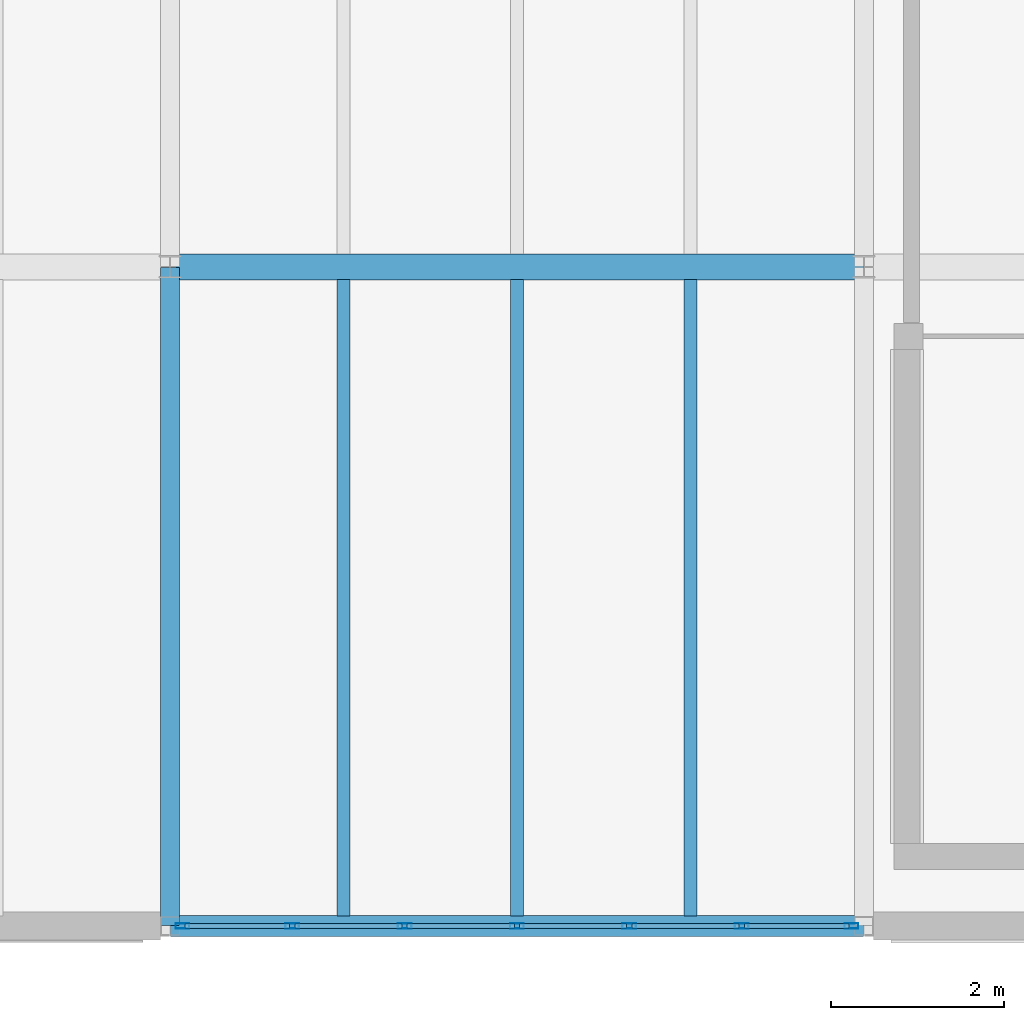
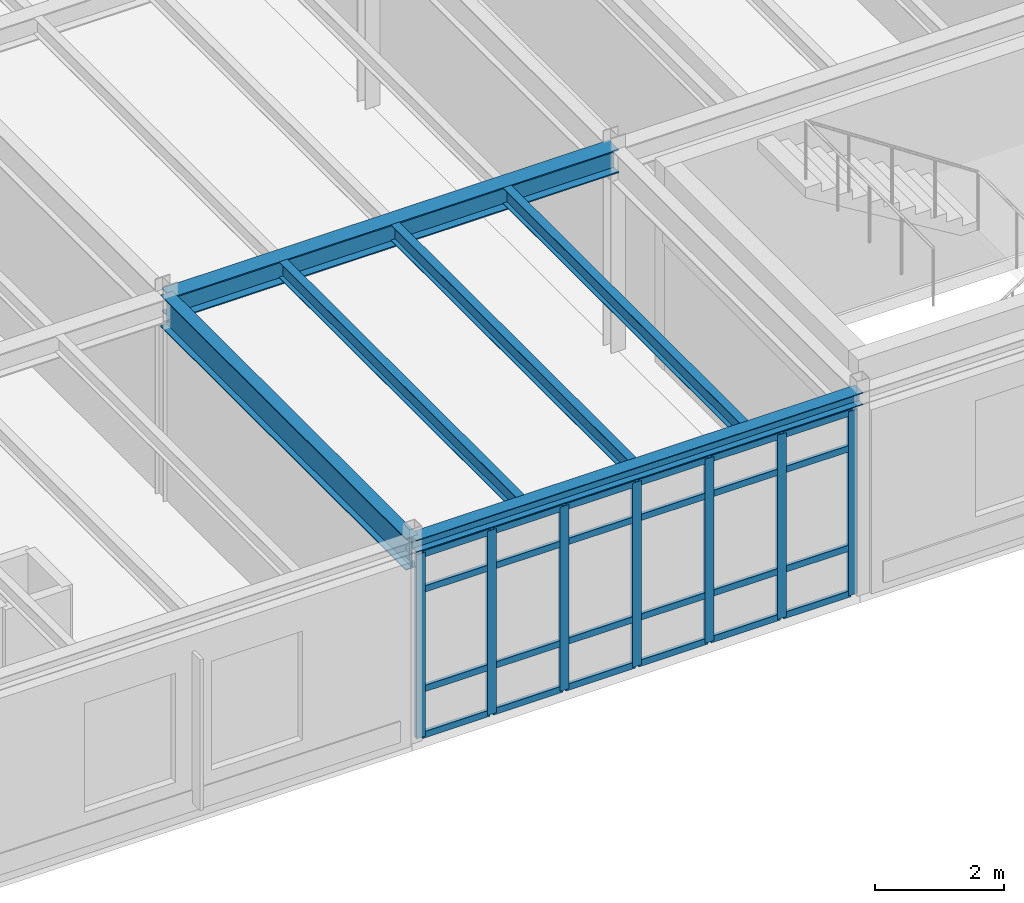
# One storey, part 56 of 114: 31 members, 6 beams, 1 element without a shape of its own.
"""IFC4 building model written with IfcOpenShell, lengths in metres."""

from ifc_helpers import new_model, si_unit, direction, frame, origin, origin_2d, place, context, subcontext, project, spatial, hollow_rectangle, i_section, extrude, material, layer, layer_set, material_profile, profile_set, type_object, element, aggregate, save


model = new_model("IFC4")

# Units and contexts
model_context = context("Model", 3, precision=1e-05, world=origin(), true_north=direction((0.0, 1.0)))
body_context = subcontext(model_context, "Body", "Model", "MODEL_VIEW")
ifc_project = project(units=[si_unit("LENGTHUNIT", "METRE"), si_unit("AREAUNIT", "SQUARE_METRE"), si_unit("VOLUMEUNIT", "CUBIC_METRE"), si_unit("PLANEANGLEUNIT", "RADIAN"), si_unit("MASSUNIT", "GRAM", prefix="KILO")], contexts=[model_context])

# Site, building, storey
site_placement = place(None, origin())
site = spatial("IfcSite", under=ifc_project, at=site_placement, CompositionType="ELEMENT")
building_placement = place(site_placement, origin())
building = spatial("IfcBuilding", under=site, at=building_placement, Name="Montecoro Central Library", CompositionType="ELEMENT")
storey_placement = place(building_placement, frame((0.0, 0.0, 13.260009765625)))
storey = spatial("IfcBuildingStorey", under=building, at=storey_placement, Name="L03", CompositionType="ELEMENT", Elevation=13.260009765625)

# Beams
ifc_material_1 = material(Name="Steel S355J2", Category="steel")
ifc_material_profile_1 = material_profile(ifc_material_1, i_section(OverallWidth=0.300048828125, OverallDepth=0.43994140625, WebThickness=0.011474609375, FlangeThickness=0.02099609375, at=origin_2d()), Name="HEA 450")
ifc_profile_set_1 = profile_set([ifc_material_profile_1], Name="Steel S355J2")
beam_type_1 = type_object("IfcBeamType", Name="BM-G-HEA450", PredefinedType="USERDEFINED", material=ifc_profile_set_1)
beam_1_placement = place(storey_placement, frame((149.0048828125, 12.60009765625, 3.60498046875), z_axis=(1.0, 0.0, 0.0), x_axis=(0.0, 1.0, 0.0)))
element("IfcBeam", 1, at=beam_1_placement, inside=storey, type_object=beam_type_1, Name="V6-L03-BX-1920-B", ObjectType="GIRDER", PredefinedType="USERDEFINED", context=body_context, shape_type="SweptSolid", body=[
    extrude(i_section(OverallWidth=0.300048828125, OverallDepth=0.43994140625, WebThickness=0.011474609375, FlangeThickness=0.02099609375, at=origin_2d()), origin(), (0.0, 0.0, 1.0), 7.990234375),
])
ifc_material_profile_2 = material_profile(ifc_material_1, i_section(OverallWidth=0.219970703125, OverallDepth=0.60009765625, WebThickness=0.011962890625, FlangeThickness=0.01904296875, at=origin_2d()), Name="IPE 600")
ifc_profile_set_2 = profile_set([ifc_material_profile_2], Name="Steel S355J2")
beam_type_2 = type_object("IfcBeamType", Name="BM-G-IPE600", PredefinedType="USERDEFINED", material=ifc_profile_set_2)
beam_2_placement = place(storey_placement, frame((149.0, 5.0048828125, 3.52490234375), z_axis=(0.0, 1.0, 0.0), x_axis=(-1.0, 0.0, 0.0)))
element("IfcBeam", 2, at=beam_2_placement, inside=storey, type_object=beam_type_2, Name="V6-L03-BY-19-AB", ObjectType="GIRDER", PredefinedType="USERDEFINED", context=body_context, shape_type="SweptSolid", body=[
    extrude(i_section(OverallWidth=0.219970703125, OverallDepth=0.60009765625, WebThickness=0.011962890625, FlangeThickness=0.01904296875, at=origin_2d()), origin(), (0.0, 0.0, 1.0), 7.590087890625),
])
ifc_material_2 = material(Name="Steel S355", Category="steel")
ifc_material_profile_3 = material_profile(ifc_material_2, i_section(OverallWidth=0.14990234375, OverallDepth=0.300048828125, WebThickness=0.007080078125, FlangeThickness=0.0107421875, at=origin_2d()), Name="IPE 300")
ifc_profile_set_3 = profile_set([ifc_material_profile_3], Name="Steel S355")
beam_type_3 = type_object("IfcBeamType", Name="BM-J-IPE300", PredefinedType="JOIST", material=ifc_profile_set_3)
for number, where, z_axis, x_axis, name in (
    (3, (151.0, 5.116943359375, 3.675048828125), (0.0, 1.0, 0.0), (-1.0, 0.0, 0.0), "V6-L03-JS-1920-AB-1"),
    (4, (153.0, 5.116943359375, 3.675048828125), (0.0, 1.0, 0.0), (-1.0, 0.0, 0.0), "V6-L03-JS-1920-AB-2"),
    (5, (155.0, 5.116943359375, 3.675048828125), (0.0, 1.0, 0.0), (-1.0, 0.0, 0.0), "V6-L03-JS-1920-AB-3"),
):
    element("IfcBeam", number, at=place(storey_placement, frame(where, z_axis=z_axis, x_axis=x_axis)), inside=storey, type_object=beam_type_3, Name=name, PredefinedType="JOIST", context=body_context, shape_type="SweptSolid", body=[
        extrude(i_section(OverallWidth=0.14990234375, OverallDepth=0.300048828125, WebThickness=0.007080078125, FlangeThickness=0.0107421875, at=origin_2d()), origin(), (0.0, 0.0, 1.0), 7.3359375),
    ])
ifc_material_profile_4 = material_profile(ifc_material_2, i_section(OverallWidth=0.239990234375, OverallDepth=0.22998046875, WebThickness=0.007568359375, FlangeThickness=0.011962890625, at=origin_2d()), Name="HEA 240")
ifc_profile_set_4 = profile_set([ifc_material_profile_4], Name="Steel S355")
beam_type_4 = type_object("IfcBeamType", Name="BM-SP-HEA240", PredefinedType="SPANDREL", material=ifc_profile_set_4)
beam_3_placement = place(storey_placement, frame((149.0048828125, 5.0, 3.7099609375), z_axis=(1.0, 0.0, 0.0), x_axis=(0.0, 1.0, 0.0)))
element("IfcBeam", 6, at=beam_3_placement, inside=storey, type_object=beam_type_4, Name="V6-L03-BX-1920-A", PredefinedType="SPANDREL", context=body_context, shape_type="SweptSolid", body=[
    extrude(i_section(OverallWidth=0.239990234375, OverallDepth=0.22998046875, WebThickness=0.007568359375, FlangeThickness=0.011962890625, at=origin_2d()), origin(), (0.0, 0.0, 1.0), 7.990234375),
])

# Curtain wall, members
ifc_material_3 = material(Name="Bronze-anodised aluminium and low-E glazing", Category="aluminium")
ifc_layer = layer(ifc_material_3, 0.159912109375)
ifc_layer_set = layer_set([ifc_layer], Name="Bronze-anodised aluminium and low-E glazing")
curtain_wall_type = type_object("IfcCurtainWallType", Name="CWT-068", PredefinedType="NOTDEFINED", material=ifc_layer_set)
curtain_wall_placement = place(storey_placement, origin())
curtain_wall = element("IfcCurtainWall", 7, at=curtain_wall_placement, inside=storey, type_object=curtain_wall_type, Name="V6-L03-CW-S1", PredefinedType="NOTDEFINED")
ifc_material_4 = material(Name="Bronze-anodised aluminium", Category="aluminium")
ifc_material_profile_5 = material_profile(ifc_material_4, hollow_rectangle(XDim=0.06005859375, YDim=0.159912109375, WallThickness=0.00390625, at=origin_2d()), Name="CWM 160x60x4.0")
ifc_profile_set_5 = profile_set([ifc_material_profile_5], Name="Bronze-anodised aluminium")
member_type_1 = type_object("IfcMemberType", Name="CWM-BRZ-60", PredefinedType="MULLION", material=ifc_profile_set_5)
member_1_placement = place(storey_placement, frame((149.14306640625, 5.0, 0.0), z_axis=(0.0, 0.0, 1.0), x_axis=(0.0, 1.0, 0.0)))
member_1 = element("IfcMember", 8, at=member_1_placement, type_object=member_type_1, Name="CW-068 mullion 1", PredefinedType="MULLION", context=body_context, shape_type="SweptSolid", body=[
    extrude(hollow_rectangle(XDim=0.06005859375, YDim=0.159912109375, WallThickness=0.00390625, at=origin_2d()), origin(), (0.0, 0.0, 1.0), 3.47998046875),
])
member_2_placement = place(storey_placement, frame((150.40869140625, 5.0, 0.0), z_axis=(0.0, 0.0, 1.0), x_axis=(0.0, 1.0, 0.0)))
member_2 = element("IfcMember", 9, at=member_2_placement, type_object=member_type_1, Name="CW-068 mullion 2", PredefinedType="MULLION", context=body_context, shape_type="SweptSolid", body=[
    extrude(hollow_rectangle(XDim=0.06005859375, YDim=0.159912109375, WallThickness=0.00390625, at=origin_2d()), origin(), (0.0, 0.0, 1.0), 3.47998046875),
])
member_3_placement = place(storey_placement, frame((151.704345703125, 5.0, 0.0), z_axis=(0.0, 0.0, 1.0), x_axis=(0.0, 1.0, 0.0)))
member_3 = element("IfcMember", 10, at=member_3_placement, type_object=member_type_1, Name="CW-068 mullion 3", PredefinedType="MULLION", context=body_context, shape_type="SweptSolid", body=[
    extrude(hollow_rectangle(XDim=0.06005859375, YDim=0.159912109375, WallThickness=0.00390625, at=origin_2d()), origin(), (0.0, 0.0, 1.0), 3.47998046875),
])
member_4_placement = place(storey_placement, frame((153.0, 5.0, 0.0), z_axis=(0.0, 0.0, 1.0), x_axis=(0.0, 1.0, 0.0)))
member_4 = element("IfcMember", 11, at=member_4_placement, type_object=member_type_1, Name="CW-068 mullion 4", PredefinedType="MULLION", context=body_context, shape_type="SweptSolid", body=[
    extrude(hollow_rectangle(XDim=0.06005859375, YDim=0.159912109375, WallThickness=0.00390625, at=origin_2d()), origin(), (0.0, 0.0, 1.0), 3.47998046875),
])
member_5_placement = place(storey_placement, frame((154.295654296875, 5.0, 0.0), z_axis=(0.0, 0.0, 1.0), x_axis=(0.0, 1.0, 0.0)))
member_5 = element("IfcMember", 12, at=member_5_placement, type_object=member_type_1, Name="CW-068 mullion 5", PredefinedType="MULLION", context=body_context, shape_type="SweptSolid", body=[
    extrude(hollow_rectangle(XDim=0.06005859375, YDim=0.159912109375, WallThickness=0.00390625, at=origin_2d()), origin(), (0.0, 0.0, 1.0), 3.47998046875),
])
member_6_placement = place(storey_placement, frame((155.59130859375, 5.0, 0.0), z_axis=(0.0, 0.0, 1.0), x_axis=(0.0, 1.0, 0.0)))
member_6 = element("IfcMember", 13, at=member_6_placement, type_object=member_type_1, Name="CW-068 mullion 6", PredefinedType="MULLION", context=body_context, shape_type="SweptSolid", body=[
    extrude(hollow_rectangle(XDim=0.06005859375, YDim=0.159912109375, WallThickness=0.00390625, at=origin_2d()), origin(), (0.0, 0.0, 1.0), 3.47998046875),
])
member_7_placement = place(storey_placement, frame((156.85693359375, 5.0, 0.0), z_axis=(0.0, 0.0, 1.0), x_axis=(0.0, 1.0, 0.0)))
member_7 = element("IfcMember", 14, at=member_7_placement, type_object=member_type_1, Name="CW-068 mullion 7", PredefinedType="MULLION", context=body_context, shape_type="SweptSolid", body=[
    extrude(hollow_rectangle(XDim=0.06005859375, YDim=0.159912109375, WallThickness=0.00390625, at=origin_2d()), origin(), (0.0, 0.0, 1.0), 3.47998046875),
])
ifc_material_profile_6 = material_profile(ifc_material_4, hollow_rectangle(XDim=0.06005859375, YDim=0.1201171875, WallThickness=0.00390625, at=origin_2d()), Name="CWT 120x60x4.0")
ifc_profile_set_6 = profile_set([ifc_material_profile_6], Name="Bronze-anodised aluminium")
member_type_2 = type_object("IfcMemberType", Name="CWT-BRZ-60", PredefinedType="USERDEFINED", material=ifc_profile_set_6)
member_8_placement = place(storey_placement, frame((149.173095703125, 5.0, 0.030029296875), z_axis=(1.0, 0.0, 0.0), x_axis=(0.0, 1.0, 0.0)))
member_8 = element("IfcMember", 15, at=member_8_placement, type_object=member_type_2, Name="CW-068 transom 1.1", ObjectType="TRANSOM", PredefinedType="USERDEFINED", context=body_context, shape_type="SweptSolid", body=[
    extrude(hollow_rectangle(XDim=0.06005859375, YDim=0.1201171875, WallThickness=0.00390625, at=origin_2d()), origin(), (0.0, 0.0, 1.0), 1.20556640625),
])
member_9_placement = place(storey_placement, frame((149.173095703125, 5.0, 0.89990234375), z_axis=(1.0, 0.0, 0.0), x_axis=(0.0, 1.0, 0.0)))
member_9 = element("IfcMember", 16, at=member_9_placement, type_object=member_type_2, Name="CW-068 transom 1.2", ObjectType="TRANSOM", PredefinedType="USERDEFINED", context=body_context, shape_type="SweptSolid", body=[
    extrude(hollow_rectangle(XDim=0.06005859375, YDim=0.1201171875, WallThickness=0.00390625, at=origin_2d()), origin(), (0.0, 0.0, 1.0), 1.20556640625),
])
member_10_placement = place(storey_placement, frame((149.173095703125, 5.0, 2.780029296875), z_axis=(1.0, 0.0, 0.0), x_axis=(0.0, 1.0, 0.0)))
member_10 = element("IfcMember", 17, at=member_10_placement, type_object=member_type_2, Name="CW-068 transom 1.3", ObjectType="TRANSOM", PredefinedType="USERDEFINED", context=body_context, shape_type="SweptSolid", body=[
    extrude(hollow_rectangle(XDim=0.06005859375, YDim=0.1201171875, WallThickness=0.00390625, at=origin_2d()), origin(), (0.0, 0.0, 1.0), 1.20556640625),
])
member_11_placement = place(storey_placement, frame((149.173095703125, 5.0, 3.449951171875), z_axis=(1.0, 0.0, 0.0), x_axis=(0.0, 1.0, 0.0)))
member_11 = element("IfcMember", 18, at=member_11_placement, type_object=member_type_2, Name="CW-068 transom 1.4", ObjectType="TRANSOM", PredefinedType="USERDEFINED", context=body_context, shape_type="SweptSolid", body=[
    extrude(hollow_rectangle(XDim=0.06005859375, YDim=0.1201171875, WallThickness=0.00390625, at=origin_2d()), origin(), (0.0, 0.0, 1.0), 1.20556640625),
])
member_12_placement = place(storey_placement, frame((150.438720703125, 5.0, 0.030029296875), z_axis=(1.0, 0.0, 0.0), x_axis=(0.0, 1.0, 0.0)))
member_12 = element("IfcMember", 19, at=member_12_placement, type_object=member_type_2, Name="CW-068 transom 2.1", ObjectType="TRANSOM", PredefinedType="USERDEFINED", context=body_context, shape_type="SweptSolid", body=[
    extrude(hollow_rectangle(XDim=0.06005859375, YDim=0.1201171875, WallThickness=0.00390625, at=origin_2d()), origin(), (0.0, 0.0, 1.0), 1.235595703125),
])
member_13_placement = place(storey_placement, frame((150.438720703125, 5.0, 0.89990234375), z_axis=(1.0, 0.0, 0.0), x_axis=(0.0, 1.0, 0.0)))
member_13 = element("IfcMember", 20, at=member_13_placement, type_object=member_type_2, Name="CW-068 transom 2.2", ObjectType="TRANSOM", PredefinedType="USERDEFINED", context=body_context, shape_type="SweptSolid", body=[
    extrude(hollow_rectangle(XDim=0.06005859375, YDim=0.1201171875, WallThickness=0.00390625, at=origin_2d()), origin(), (0.0, 0.0, 1.0), 1.235595703125),
])
member_14_placement = place(storey_placement, frame((150.438720703125, 5.0, 2.780029296875), z_axis=(1.0, 0.0, 0.0), x_axis=(0.0, 1.0, 0.0)))
member_14 = element("IfcMember", 21, at=member_14_placement, type_object=member_type_2, Name="CW-068 transom 2.3", ObjectType="TRANSOM", PredefinedType="USERDEFINED", context=body_context, shape_type="SweptSolid", body=[
    extrude(hollow_rectangle(XDim=0.06005859375, YDim=0.1201171875, WallThickness=0.00390625, at=origin_2d()), origin(), (0.0, 0.0, 1.0), 1.235595703125),
])
member_15_placement = place(storey_placement, frame((150.438720703125, 5.0, 3.449951171875), z_axis=(1.0, 0.0, 0.0), x_axis=(0.0, 1.0, 0.0)))
member_15 = element("IfcMember", 22, at=member_15_placement, type_object=member_type_2, Name="CW-068 transom 2.4", ObjectType="TRANSOM", PredefinedType="USERDEFINED", context=body_context, shape_type="SweptSolid", body=[
    extrude(hollow_rectangle(XDim=0.06005859375, YDim=0.1201171875, WallThickness=0.00390625, at=origin_2d()), origin(), (0.0, 0.0, 1.0), 1.235595703125),
])
member_16_placement = place(storey_placement, frame((151.734375, 5.0, 0.030029296875), z_axis=(1.0, 0.0, 0.0), x_axis=(0.0, 1.0, 0.0)))
member_16 = element("IfcMember", 23, at=member_16_placement, type_object=member_type_2, Name="CW-068 transom 3.1", ObjectType="TRANSOM", PredefinedType="USERDEFINED", context=body_context, shape_type="SweptSolid", body=[
    extrude(hollow_rectangle(XDim=0.06005859375, YDim=0.1201171875, WallThickness=0.00390625, at=origin_2d()), origin(), (0.0, 0.0, 1.0), 1.235595703125),
])
member_17_placement = place(storey_placement, frame((151.734375, 5.0, 0.89990234375), z_axis=(1.0, 0.0, 0.0), x_axis=(0.0, 1.0, 0.0)))
member_17 = element("IfcMember", 24, at=member_17_placement, type_object=member_type_2, Name="CW-068 transom 3.2", ObjectType="TRANSOM", PredefinedType="USERDEFINED", context=body_context, shape_type="SweptSolid", body=[
    extrude(hollow_rectangle(XDim=0.06005859375, YDim=0.1201171875, WallThickness=0.00390625, at=origin_2d()), origin(), (0.0, 0.0, 1.0), 1.235595703125),
])
member_18_placement = place(storey_placement, frame((151.734375, 5.0, 2.780029296875), z_axis=(1.0, 0.0, 0.0), x_axis=(0.0, 1.0, 0.0)))
member_18 = element("IfcMember", 25, at=member_18_placement, type_object=member_type_2, Name="CW-068 transom 3.3", ObjectType="TRANSOM", PredefinedType="USERDEFINED", context=body_context, shape_type="SweptSolid", body=[
    extrude(hollow_rectangle(XDim=0.06005859375, YDim=0.1201171875, WallThickness=0.00390625, at=origin_2d()), origin(), (0.0, 0.0, 1.0), 1.235595703125),
])
member_19_placement = place(storey_placement, frame((151.734375, 5.0, 3.449951171875), z_axis=(1.0, 0.0, 0.0), x_axis=(0.0, 1.0, 0.0)))
member_19 = element("IfcMember", 26, at=member_19_placement, type_object=member_type_2, Name="CW-068 transom 3.4", ObjectType="TRANSOM", PredefinedType="USERDEFINED", context=body_context, shape_type="SweptSolid", body=[
    extrude(hollow_rectangle(XDim=0.06005859375, YDim=0.1201171875, WallThickness=0.00390625, at=origin_2d()), origin(), (0.0, 0.0, 1.0), 1.235595703125),
])
member_20_placement = place(storey_placement, frame((153.030029296875, 5.0, 0.030029296875), z_axis=(1.0, 0.0, 0.0), x_axis=(0.0, 1.0, 0.0)))
member_20 = element("IfcMember", 27, at=member_20_placement, type_object=member_type_2, Name="CW-068 transom 4.1", ObjectType="TRANSOM", PredefinedType="USERDEFINED", context=body_context, shape_type="SweptSolid", body=[
    extrude(hollow_rectangle(XDim=0.06005859375, YDim=0.1201171875, WallThickness=0.00390625, at=origin_2d()), origin(), (0.0, 0.0, 1.0), 1.235595703125),
])
member_21_placement = place(storey_placement, frame((153.030029296875, 5.0, 0.89990234375), z_axis=(1.0, 0.0, 0.0), x_axis=(0.0, 1.0, 0.0)))
member_21 = element("IfcMember", 28, at=member_21_placement, type_object=member_type_2, Name="CW-068 transom 4.2", ObjectType="TRANSOM", PredefinedType="USERDEFINED", context=body_context, shape_type="SweptSolid", body=[
    extrude(hollow_rectangle(XDim=0.06005859375, YDim=0.1201171875, WallThickness=0.00390625, at=origin_2d()), origin(), (0.0, 0.0, 1.0), 1.235595703125),
])
member_22_placement = place(storey_placement, frame((153.030029296875, 5.0, 2.780029296875), z_axis=(1.0, 0.0, 0.0), x_axis=(0.0, 1.0, 0.0)))
member_22 = element("IfcMember", 29, at=member_22_placement, type_object=member_type_2, Name="CW-068 transom 4.3", ObjectType="TRANSOM", PredefinedType="USERDEFINED", context=body_context, shape_type="SweptSolid", body=[
    extrude(hollow_rectangle(XDim=0.06005859375, YDim=0.1201171875, WallThickness=0.00390625, at=origin_2d()), origin(), (0.0, 0.0, 1.0), 1.235595703125),
])
member_23_placement = place(storey_placement, frame((153.030029296875, 5.0, 3.449951171875), z_axis=(1.0, 0.0, 0.0), x_axis=(0.0, 1.0, 0.0)))
member_23 = element("IfcMember", 30, at=member_23_placement, type_object=member_type_2, Name="CW-068 transom 4.4", ObjectType="TRANSOM", PredefinedType="USERDEFINED", context=body_context, shape_type="SweptSolid", body=[
    extrude(hollow_rectangle(XDim=0.06005859375, YDim=0.1201171875, WallThickness=0.00390625, at=origin_2d()), origin(), (0.0, 0.0, 1.0), 1.235595703125),
])
member_24_placement = place(storey_placement, frame((154.32568359375, 5.0, 0.030029296875), z_axis=(1.0, 0.0, 0.0), x_axis=(0.0, 1.0, 0.0)))
member_24 = element("IfcMember", 31, at=member_24_placement, type_object=member_type_2, Name="CW-068 transom 5.1", ObjectType="TRANSOM", PredefinedType="USERDEFINED", context=body_context, shape_type="SweptSolid", body=[
    extrude(hollow_rectangle(XDim=0.06005859375, YDim=0.1201171875, WallThickness=0.00390625, at=origin_2d()), origin(), (0.0, 0.0, 1.0), 1.235595703125),
])
member_25_placement = place(storey_placement, frame((154.32568359375, 5.0, 0.89990234375), z_axis=(1.0, 0.0, 0.0), x_axis=(0.0, 1.0, 0.0)))
member_25 = element("IfcMember", 32, at=member_25_placement, type_object=member_type_2, Name="CW-068 transom 5.2", ObjectType="TRANSOM", PredefinedType="USERDEFINED", context=body_context, shape_type="SweptSolid", body=[
    extrude(hollow_rectangle(XDim=0.06005859375, YDim=0.1201171875, WallThickness=0.00390625, at=origin_2d()), origin(), (0.0, 0.0, 1.0), 1.235595703125),
])
member_26_placement = place(storey_placement, frame((154.32568359375, 5.0, 2.780029296875), z_axis=(1.0, 0.0, 0.0), x_axis=(0.0, 1.0, 0.0)))
member_26 = element("IfcMember", 33, at=member_26_placement, type_object=member_type_2, Name="CW-068 transom 5.3", ObjectType="TRANSOM", PredefinedType="USERDEFINED", context=body_context, shape_type="SweptSolid", body=[
    extrude(hollow_rectangle(XDim=0.06005859375, YDim=0.1201171875, WallThickness=0.00390625, at=origin_2d()), origin(), (0.0, 0.0, 1.0), 1.235595703125),
])
member_27_placement = place(storey_placement, frame((154.32568359375, 5.0, 3.449951171875), z_axis=(1.0, 0.0, 0.0), x_axis=(0.0, 1.0, 0.0)))
member_27 = element("IfcMember", 34, at=member_27_placement, type_object=member_type_2, Name="CW-068 transom 5.4", ObjectType="TRANSOM", PredefinedType="USERDEFINED", context=body_context, shape_type="SweptSolid", body=[
    extrude(hollow_rectangle(XDim=0.06005859375, YDim=0.1201171875, WallThickness=0.00390625, at=origin_2d()), origin(), (0.0, 0.0, 1.0), 1.235595703125),
])
member_28_placement = place(storey_placement, frame((155.621337890625, 5.0, 0.030029296875), z_axis=(1.0, 0.0, 0.0), x_axis=(0.0, 1.0, 0.0)))
member_28 = element("IfcMember", 35, at=member_28_placement, type_object=member_type_2, Name="CW-068 transom 6.1", ObjectType="TRANSOM", PredefinedType="USERDEFINED", context=body_context, shape_type="SweptSolid", body=[
    extrude(hollow_rectangle(XDim=0.06005859375, YDim=0.1201171875, WallThickness=0.00390625, at=origin_2d()), origin(), (0.0, 0.0, 1.0), 1.20556640625),
])
member_29_placement = place(storey_placement, frame((155.621337890625, 5.0, 0.89990234375), z_axis=(1.0, 0.0, 0.0), x_axis=(0.0, 1.0, 0.0)))
member_29 = element("IfcMember", 36, at=member_29_placement, type_object=member_type_2, Name="CW-068 transom 6.2", ObjectType="TRANSOM", PredefinedType="USERDEFINED", context=body_context, shape_type="SweptSolid", body=[
    extrude(hollow_rectangle(XDim=0.06005859375, YDim=0.1201171875, WallThickness=0.00390625, at=origin_2d()), origin(), (0.0, 0.0, 1.0), 1.20556640625),
])
member_30_placement = place(storey_placement, frame((155.621337890625, 5.0, 2.780029296875), z_axis=(1.0, 0.0, 0.0), x_axis=(0.0, 1.0, 0.0)))
member_30 = element("IfcMember", 37, at=member_30_placement, type_object=member_type_2, Name="CW-068 transom 6.3", ObjectType="TRANSOM", PredefinedType="USERDEFINED", context=body_context, shape_type="SweptSolid", body=[
    extrude(hollow_rectangle(XDim=0.06005859375, YDim=0.1201171875, WallThickness=0.00390625, at=origin_2d()), origin(), (0.0, 0.0, 1.0), 1.20556640625),
])
member_31_placement = place(storey_placement, frame((155.621337890625, 5.0, 3.449951171875), z_axis=(1.0, 0.0, 0.0), x_axis=(0.0, 1.0, 0.0)))
member_31 = element("IfcMember", 38, at=member_31_placement, type_object=member_type_2, Name="CW-068 transom 6.4", ObjectType="TRANSOM", PredefinedType="USERDEFINED", context=body_context, shape_type="SweptSolid", body=[
    extrude(hollow_rectangle(XDim=0.06005859375, YDim=0.1201171875, WallThickness=0.00390625, at=origin_2d()), origin(), (0.0, 0.0, 1.0), 1.20556640625),
])
aggregate(curtain_wall, [member_1, member_2, member_3, member_4, member_5, member_6, member_7, member_8, member_9, member_10, member_11, member_12, member_13, member_14, member_15, member_16, member_17, member_18, member_19, member_20, member_21, member_22, member_23, member_24, member_25, member_26, member_27, member_28, member_29, member_30, member_31])

save(model, "model.ifc")
